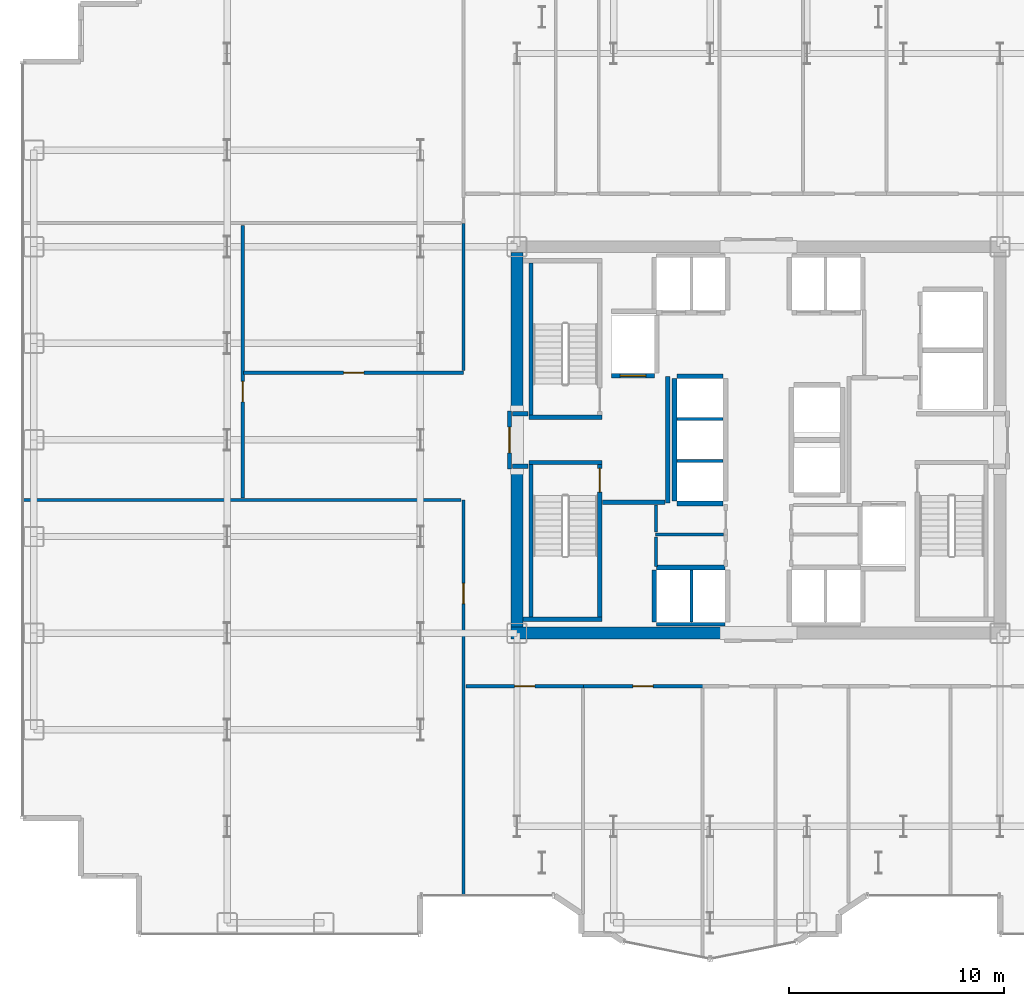
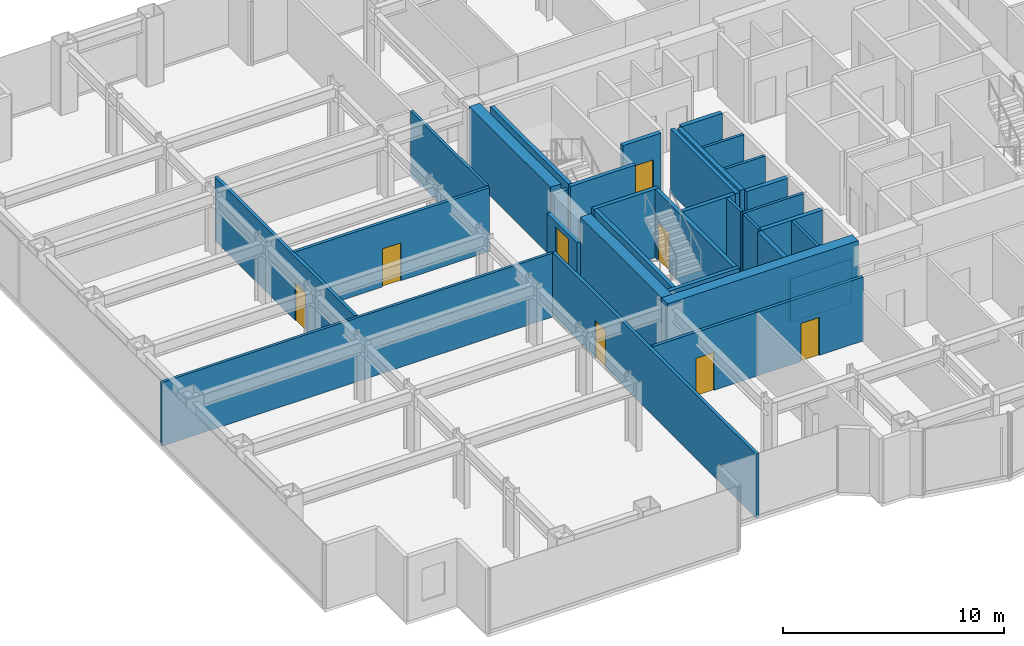
# One storey, part 20 of 26: 34 walls, 8 doors, 8 openings.
"""IFC4 building model written with IfcOpenShell, lengths in metres."""

from ifc_helpers import new_model, si_unit, direction, frame, frame_2d, origin, place, context, subcontext, project, spatial, rectangle, extrude, source, transform, mapped, material, layer, layer_set, type_object, element, fill, save


model = new_model("IFC4")

# Units and contexts
model_context = context("Model", 3, precision=1e-05, world=origin(), true_north=direction((0.0, 1.0)))
body_context = subcontext(model_context, "Body", "Model", "MODEL_VIEW")
ifc_project = project(units=[si_unit("LENGTHUNIT", "METRE"), si_unit("AREAUNIT", "SQUARE_METRE"), si_unit("VOLUMEUNIT", "CUBIC_METRE"), si_unit("PLANEANGLEUNIT", "RADIAN"), si_unit("MASSUNIT", "GRAM", prefix="KILO")], contexts=[model_context])

# Site, building, storey
site_placement = place(None, origin())
site = spatial("IfcSite", under=ifc_project, at=site_placement, CompositionType="ELEMENT")
building_placement = place(site_placement, origin())
building = spatial("IfcBuilding", under=site, at=building_placement, Name="Nefas-Gora Pilgrimage Tower", CompositionType="ELEMENT")
storey_placement = place(building_placement, frame((0.0, 0.0, 106.0)))
storey = spatial("IfcBuildingStorey", under=building, at=storey_placement, Name="L25", CompositionType="ELEMENT", Elevation=106.0)

# Walls
ifc_material_1 = material(Name="Concrete C60/75", Category="concrete")
ifc_layer_1 = layer(ifc_material_1, 0.550048828125)
ifc_layer_set_1 = layer_set([ifc_layer_1], Name="Concrete C60/75")
wall_type_1 = type_object("IfcWallType", Name="SW-CORE-550", PredefinedType="SHEAR", material=ifc_layer_set_1)
shared_shape_1 = source(origin(), body_context, "Body", "SweptSolid", [
    extrude(rectangle(XDim=9.974853515625, YDim=0.550048828125, at=frame_2d((4.9873046875, 0.0))), origin(), (0.0, 0.0, 1.0), 3.800048828125),
])
wall_1_placement = place(storey_placement, frame((-11.52490234375, -9.0, 0.0), z_axis=(0.0, 0.0, 1.0), x_axis=(1.0, 0.0, 0.0)))
element("IfcWall", 1, at=wall_1_placement, inside=storey, type_object=wall_type_1, Name="L25 Core Shear Wall S-West", PredefinedType="SHEAR", context=body_context, shape_type="MappedRepresentation", body=[
    mapped(shared_shape_1, transform((0.0, 0.0, 0.0), x_axis=(1.0, 0.0, 0.0), y_axis=(0.0, 1.0, 0.0), z_axis=(0.0, 0.0, 1.0), scale=1.0)),
])
shared_shape_2 = source(origin(), body_context, "Body", "SweptSolid", [
    extrude(rectangle(XDim=7.375, YDim=0.550048828125, at=frame_2d((3.6875, 0.0))), origin(), (0.0, 0.0, 1.0), 3.800048828125),
])
for number, where, z_axis, x_axis, name in (
    (2, (-11.25, -8.72509765625, 0.0), (0.0, 0.0, 1.0), (0.0, 1.0, 0.0), "L25 Core Shear Wall W-South"),
    (3, (-11.25, 1.35009765625, 0.0), (0.0, 0.0, 1.0), (0.0, 1.0, 0.0), "L25 Core Shear Wall W-North"),
):
    element("IfcWall", number, at=place(storey_placement, frame(where, z_axis=z_axis, x_axis=x_axis)), inside=storey, type_object=wall_type_1, Name=name, PredefinedType="SHEAR", context=body_context, shape_type="MappedRepresentation", body=[
        mapped(shared_shape_2, transform((0.0, 0.0, 0.0), x_axis=(1.0, 0.0, 0.0), y_axis=(0.0, 1.0, 0.0), z_axis=(0.0, 0.0, 1.0), scale=1.0)),
    ])
ifc_material_2 = material(Name="Concrete C45/55", Category="concrete")
ifc_layer_2 = layer(ifc_material_2, 0.199951171875)
ifc_layer_set_2 = layer_set([ifc_layer_2], Name="Concrete C45/55")
wall_type_2 = type_object("IfcWallType", Name="IW-STAIR-200", PredefinedType="SOLIDWALL", material=ifc_layer_set_2)
shared_shape_3 = source(origin(), body_context, "Body", "SweptSolid", [
    extrude(rectangle(XDim=3.39990234375, YDim=0.199951171875, at=frame_2d((1.699951171875, 0.0))), origin(), (0.0, 0.0, 1.0), 3.800048828125),
])
for number, where, z_axis, x_axis, name in (
    (4, (-7.300048828125, 1.050048828125, 0.0), (0.0, 0.0, 1.0), (-1.0, 0.0, 0.0), "L25 Stairwell Shear Wall ST-01-near"),
    (5, (-10.699951171875, -1.050048828125, 0.0), (0.0, 0.0, 1.0), (1.0, 0.0, 0.0), "L25 Stairwell Shear Wall ST-03-near"),
):
    element("IfcWall", number, at=place(storey_placement, frame(where, z_axis=z_axis, x_axis=x_axis)), inside=storey, type_object=wall_type_2, Name=name, PredefinedType="SOLIDWALL", context=body_context, shape_type="MappedRepresentation", body=[
        mapped(shared_shape_3, transform((0.0, 0.0, 0.0), x_axis=(1.0, 0.0, 0.0), y_axis=(0.0, 1.0, 0.0), z_axis=(0.0, 0.0, 1.0), scale=1.0)),
    ])
shared_shape_4 = source(origin(), body_context, "Body", "SweptSolid", [
    extrude(rectangle(XDim=7.10009765625, YDim=0.199951171875, at=frame_2d((3.550048828125, 0.0))), origin(), (0.0, 0.0, 1.0), 3.800048828125),
])
for number, where, z_axis, x_axis, name in (
    (6, (-10.60009765625, 1.14990234375, 0.0), (0.0, 0.0, 1.0), (0.0, 1.0, 0.0), "L25 Stairwell Shear Wall ST-01-right"),
    (7, (-10.60009765625, -1.14990234375, 0.0), (0.0, 0.0, 1.0), (0.0, -1.0, 0.0), "L25 Stairwell Shear Wall ST-03-left"),
):
    element("IfcWall", number, at=place(storey_placement, frame(where, z_axis=z_axis, x_axis=x_axis)), inside=storey, type_object=wall_type_2, Name=name, PredefinedType="SOLIDWALL", context=body_context, shape_type="MappedRepresentation", body=[
        mapped(shared_shape_4, transform((0.0, 0.0, 0.0), x_axis=(1.0, 0.0, 0.0), y_axis=(0.0, 1.0, 0.0), z_axis=(0.0, 0.0, 1.0), scale=1.0)),
    ])

# Wall, opening, door
wall_2_placement = place(storey_placement, frame((-7.39990234375, -1.14990234375, 0.0), z_axis=(0.0, 0.0, 1.0), x_axis=(0.0, -1.0, 0.0)))
wall_2 = element("IfcWall", 8, at=wall_2_placement, inside=storey, type_object=wall_type_2, Name="L25 Stairwell Shear Wall ST-03-right", PredefinedType="SOLIDWALL", context=body_context, shape_type="MappedRepresentation", body=[
    mapped(shared_shape_4, transform((0.0, 0.0, 0.0), x_axis=(1.0, 0.0, 0.0), y_axis=(0.0, 1.0, 0.0), z_axis=(0.0, 0.0, 1.0), scale=1.0)),
])
opening_1_placement = place(wall_2_placement, frame((0.179931640625, 0.0, 0.0)))
opening_1 = element("IfcOpeningElement", 9, at=opening_1_placement, cuts=wall_2, Name="Opening ID-ST1", PredefinedType="OPENING", context=body_context, shape_type="SweptSolid", body=[
    extrude(rectangle(XDim=1.10009765625, YDim=2.14990234375, at=frame_2d((0.550048828125, 1.074951171875))), frame((0.0, 0.10986328125, 0.0), z_axis=(0.0, -1.0, 0.0), x_axis=(1.0, 0.0, 0.0)), (0.0, 0.0, 1.0), 0.219970703125),
])
ifc_material_3 = material(Name="Painted galvanised steel fire stair door", Category="steel")
door_type_1 = type_object("IfcDoorType", Name="DR-INT-STAIR-1100", OperationType="NOTDEFINED", PredefinedType="DOOR", material=ifc_material_3)
shared_shape_5 = source(origin(), body_context, "Body", "SweptSolid", [
    extrude(rectangle(XDim=1.10009765625, YDim=2.14990234375, at=frame_2d((0.550048828125, 1.074951171875))), frame((0.0, 0.02490234375, 0.0), z_axis=(0.0, -1.0, 0.0), x_axis=(1.0, 0.0, 0.0)), (0.0, 0.0, 1.0), 0.050048828125),
])
door_1_placement = place(opening_1_placement, origin())
door_1 = element("IfcDoor", 10, at=door_1_placement, inside=storey, type_object=door_type_1, Name="L25 Protected Exit Stair Door ST-03", OperationType="SINGLE_SWING_LEFT", OverallHeight=2.14990234375, OverallWidth=1.10009765625, PredefinedType="DOOR", context=body_context, shape_type="MappedRepresentation", body=[
    mapped(shared_shape_5, transform((0.0, 0.0, 0.0), x_axis=(1.0, 0.0, 0.0), y_axis=(0.0, 1.0, 0.0), z_axis=(0.0, 0.0, 1.0), scale=1.0)),
])
fill(opening_1, door_1)

# Wall
shared_shape_6 = source(origin(), body_context, "Body", "SweptSolid", [
    extrude(rectangle(XDim=3.679931640625, YDim=0.199951171875, at=frame_2d((1.83984375, 0.0))), origin(), (0.0, 0.0, 1.0), 3.800048828125),
])
wall_3_placement = place(storey_placement, frame((-10.97998046875, -8.35009765625, 0.0), z_axis=(0.0, 0.0, 1.0), x_axis=(1.0, 0.0, 0.0)))
element("IfcWall", 11, at=wall_3_placement, inside=storey, type_object=wall_type_2, Name="L25 Stairwell Shear Wall ST-03-far", PredefinedType="SOLIDWALL", context=body_context, shape_type="MappedRepresentation", body=[
    mapped(shared_shape_6, transform((0.0, 0.0, 0.0), x_axis=(1.0, 0.0, 0.0), y_axis=(0.0, 1.0, 0.0), z_axis=(0.0, 0.0, 1.0), scale=1.0)),
])

# Wall, opening, door
ifc_material_4 = material(Name="Concrete C40/50", Category="concrete")
ifc_layer_3 = layer(ifc_material_4, 0.219970703125)
ifc_layer_set_3 = layer_set([ifc_layer_3], Name="Concrete C40/50")
wall_type_3 = type_object("IfcWallType", Name="IW-SHAFT-220", PredefinedType="SOLIDWALL", material=ifc_layer_set_3)
shared_shape_7 = source(origin(), body_context, "Body", "SweptSolid", [
    extrude(rectangle(XDim=2.0, YDim=0.219970703125, at=frame_2d((1.0, 0.0))), origin(), (0.0, 0.0, 1.0), 3.534912109375),
])
wall_4_placement = place(storey_placement, frame((-6.85009765625, 2.989990234375, 0.0), z_axis=(0.0, 0.0, 1.0), x_axis=(1.0, 0.0, 0.0)))
wall_4 = element("IfcWall", 12, at=wall_4_placement, inside=storey, type_object=wall_type_3, Name="L25 Hoistway Wall FFL-01-S", PredefinedType="SOLIDWALL", context=body_context, shape_type="MappedRepresentation", body=[
    mapped(shared_shape_7, transform((0.0, 0.0, 0.0), x_axis=(1.0, 0.0, 0.0), y_axis=(0.0, 1.0, 0.0), z_axis=(0.0, 0.0, 1.0), scale=1.0)),
])
opening_2_placement = place(wall_4_placement, frame((0.39990234375, 0.0, 0.0)))
opening_2 = element("IfcOpeningElement", 13, at=opening_2_placement, cuts=wall_4, Name="Opening LD-FF", PredefinedType="OPENING", context=body_context, shape_type="SweptSolid", body=[
    extrude(rectangle(XDim=1.199951171875, YDim=2.199951171875, at=frame_2d((0.60009765625, 1.10009765625))), frame((0.0, 0.119873046875, 0.0), z_axis=(0.0, -1.0, 0.0), x_axis=(1.0, 0.0, 0.0)), (0.0, 0.0, 1.0), 0.239990234375),
])
ifc_material_5 = material(Name="Fire-service sliding lift landing door")
door_type_2 = type_object("IfcDoorType", Name="DR-LIFT-FSAE-1200", OperationType="SLIDING_TO_LEFT", PredefinedType="DOOR", material=ifc_material_5)
shared_shape_8 = source(origin(), body_context, "Body", "SweptSolid", [
    extrude(rectangle(XDim=1.199951171875, YDim=2.199951171875, at=frame_2d((0.60009765625, 1.10009765625))), frame((0.0, 0.02490234375, 0.0), z_axis=(0.0, -1.0, 0.0), x_axis=(1.0, 0.0, 0.0)), (0.0, 0.0, 1.0), 0.050048828125),
])
door_2_placement = place(opening_2_placement, origin())
door_2 = element("IfcDoor", 14, at=door_2_placement, inside=storey, type_object=door_type_2, Name="L25 Sliding Lift Landing Door FFL-01", OperationType="SLIDING_TO_LEFT", OverallHeight=2.199951171875, OverallWidth=1.199951171875, PredefinedType="DOOR", context=body_context, shape_type="MappedRepresentation", body=[
    mapped(shared_shape_8, transform((0.0, 0.0, 0.0), x_axis=(1.0, 0.0, 0.0), y_axis=(0.0, 1.0, 0.0), z_axis=(0.0, 0.0, 1.0), scale=1.0)),
])
fill(opening_2, door_2)

# Walls
shared_shape_9 = source(origin(), body_context, "Body", "SweptSolid", [
    extrude(rectangle(XDim=3.199951171875, YDim=0.219970703125, at=frame_2d((1.60009765625, 0.0))), origin(), (0.0, 0.0, 1.0), 3.534912109375),
])
wall_5_placement = place(storey_placement, frame((-1.550048828125, -5.93994140625, 0.0), z_axis=(0.0, 0.0, 1.0), x_axis=(-1.0, 0.0, 0.0)))
element("IfcWall", 15, at=wall_5_placement, inside=storey, type_object=wall_type_3, Name="L25 Hoistway Wall PL2-W-N", PredefinedType="SOLIDWALL", context=body_context, shape_type="MappedRepresentation", body=[
    mapped(shared_shape_9, transform((0.0, 0.0, 0.0), x_axis=(1.0, 0.0, 0.0), y_axis=(0.0, 1.0, 0.0), z_axis=(0.0, 0.0, 1.0), scale=1.0)),
])
ifc_material_6 = material(Name="Gypsum acoustic stud partition")
ifc_layer_4 = layer(ifc_material_6, 0.159912109375)
ifc_layer_set_4 = layer_set([ifc_layer_4], Name="Gypsum acoustic stud partition")
wall_type_4 = type_object("IfcWallType", Name="IW-CORR-160", PredefinedType="PARTITIONING", material=ifc_layer_set_4)
shared_shape_10 = source(origin(), body_context, "Body", "SweptSolid", [
    extrude(rectangle(XDim=3.199951171875, YDim=0.159912109375, at=frame_2d((1.60009765625, 0.0))), origin(), (0.0, 0.0, 1.0), 2.425048828125),
])
wall_6_placement = place(storey_placement, frame((-4.75, -8.580078125, 0.0), z_axis=(0.0, 0.0, 1.0), x_axis=(1.0, 0.0, 0.0)))
element("IfcWall", 16, at=wall_6_placement, inside=storey, type_object=wall_type_4, Name="L25 Hoistway Wall PL2-W-S", PredefinedType="PARTITIONING", context=body_context, shape_type="MappedRepresentation", body=[
    mapped(shared_shape_10, transform((0.0, 0.0, 0.0), x_axis=(1.0, 0.0, 0.0), y_axis=(0.0, 1.0, 0.0), z_axis=(0.0, 0.0, 1.0), scale=1.0)),
])
shared_shape_11 = source(origin(), body_context, "Body", "SweptSolid", [
    extrude(rectangle(XDim=2.429931640625, YDim=0.219970703125, at=frame_2d((1.21484375, 0.0))), origin(), (0.0, 0.0, 1.0), 3.534912109375),
])
wall_7_placement = place(storey_placement, frame((-4.860107421875, -6.06005859375, 0.0), z_axis=(0.0, 0.0, 1.0), x_axis=(0.0, -1.0, 0.0)))
element("IfcWall", 17, at=wall_7_placement, inside=storey, type_object=wall_type_3, Name="L25 Hoistway Wall PL2-W-W", PredefinedType="SOLIDWALL", context=body_context, shape_type="MappedRepresentation", body=[
    mapped(shared_shape_11, transform((0.0, 0.0, 0.0), x_axis=(1.0, 0.0, 0.0), y_axis=(0.0, 1.0, 0.0), z_axis=(0.0, 0.0, 1.0), scale=1.0)),
])
ifc_material_7 = material(Name="Gypsum twin-stud partition")
ifc_layer_5 = layer(ifc_material_7, 0.139892578125)
ifc_layer_set_5 = layer_set([ifc_layer_5], Name="Gypsum twin-stud partition")
wall_type_5 = type_object("IfcWallType", Name="IW-UNIT-140", PredefinedType="PARTITIONING", material=ifc_layer_set_5)
shared_shape_12 = source(origin(), body_context, "Body", "SweptSolid", [
    extrude(rectangle(XDim=2.429931640625, YDim=0.139892578125, at=frame_2d((1.21484375, 0.0))), origin(), (0.0, 0.0, 1.0), 3.534912109375),
])
wall_8_placement = place(storey_placement, frame((-3.125, -8.489990234375, 0.0), z_axis=(0.0, 0.0, 1.0), x_axis=(0.0, 1.0, 0.0)))
element("IfcWall", 18, at=wall_8_placement, inside=storey, type_object=wall_type_5, Name="L25 Hoistway Wall PL2-W-DIV", PredefinedType="PARTITIONING", context=body_context, shape_type="MappedRepresentation", body=[
    mapped(shared_shape_12, transform((0.0, 0.0, 0.0), x_axis=(1.0, 0.0, 0.0), y_axis=(0.0, 1.0, 0.0), z_axis=(0.0, 0.0, 1.0), scale=1.0)),
])
shared_shape_13 = source(origin(), body_context, "Body", "SweptSolid", [
    extrude(rectangle(XDim=5.7001953125, YDim=0.219970703125, at=frame_2d((2.85009765625, 0.0))), origin(), (0.0, 0.0, 1.0), 3.534912109375),
])
wall_9_placement = place(storey_placement, frame((-3.909912109375, 2.85009765625, 0.0), z_axis=(0.0, 0.0, 1.0), x_axis=(0.0, -1.0, 0.0)))
element("IfcWall", 19, at=wall_9_placement, inside=storey, type_object=wall_type_3, Name="L25 Hoistway Wall PL3-01-03-W", PredefinedType="SOLIDWALL", context=body_context, shape_type="MappedRepresentation", body=[
    mapped(shared_shape_13, transform((0.0, 0.0, 0.0), x_axis=(1.0, 0.0, 0.0), y_axis=(0.0, 1.0, 0.0), z_axis=(0.0, 0.0, 1.0), scale=1.0)),
])
shared_shape_14 = source(origin(), body_context, "Body", "SweptSolid", [
    extrude(rectangle(XDim=2.130126953125, YDim=0.219970703125, at=frame_2d((1.06494140625, 0.0))), origin(), (0.0, 0.0, 1.0), 3.534912109375),
])
for number, where, z_axis, x_axis, name in (
    (20, (-3.7900390625, -2.9599609375, 0.0), (0.0, 0.0, 1.0), (1.0, 0.0, 0.0), "L25 Hoistway Wall PL3-01-S"),
    (21, (-1.659912109375, 2.9599609375, 0.0), (0.0, 0.0, 1.0), (-1.0, 0.0, 0.0), "L25 Hoistway Wall PL3-03-N"),
):
    element("IfcWall", number, at=place(storey_placement, frame(where, z_axis=z_axis, x_axis=x_axis)), inside=storey, type_object=wall_type_3, Name=name, PredefinedType="SOLIDWALL", context=body_context, shape_type="MappedRepresentation", body=[
        mapped(shared_shape_14, transform((0.0, 0.0, 0.0), x_axis=(1.0, 0.0, 0.0), y_axis=(0.0, 1.0, 0.0), z_axis=(0.0, 0.0, 1.0), scale=1.0)),
    ])
shared_shape_15 = source(origin(), body_context, "Body", "SweptSolid", [
    extrude(rectangle(XDim=2.130126953125, YDim=0.139892578125, at=frame_2d((1.06494140625, 0.0))), origin(), (0.0, 0.0, 1.0), 3.534912109375),
])
for number, where, z_axis, x_axis, name in (
    (22, (-3.7900390625, -0.97509765625, 0.0), (0.0, 0.0, 1.0), (1.0, 0.0, 0.0), "L25 Hoistway Wall PL3-01-02-DIV"),
    (23, (-3.7900390625, 0.97509765625, 0.0), (0.0, 0.0, 1.0), (1.0, 0.0, 0.0), "L25 Hoistway Wall PL3-02-03-DIV"),
):
    element("IfcWall", number, at=place(storey_placement, frame(where, z_axis=z_axis, x_axis=x_axis)), inside=storey, type_object=wall_type_5, Name=name, PredefinedType="PARTITIONING", context=body_context, shape_type="MappedRepresentation", body=[
        mapped(shared_shape_15, transform((0.0, 0.0, 0.0), x_axis=(1.0, 0.0, 0.0), y_axis=(0.0, 1.0, 0.0), z_axis=(0.0, 0.0, 1.0), scale=1.0)),
    ])

# Wall, opening, door
ifc_material_8 = material(Name="Gypsum fire-rated shaftwall")
ifc_layer_6 = layer(ifc_material_8, 0.199951171875)
ifc_layer_set_6 = layer_set([ifc_layer_6], Name="Gypsum fire-rated shaftwall")
wall_type_6 = type_object("IfcWallType", Name="IW-FFLOB-200", PredefinedType="PARTITIONING", material=ifc_layer_set_6)
shared_shape_16 = source(origin(), body_context, "Body", "SweptSolid", [
    extrude(rectangle(XDim=2.7001953125, YDim=0.199951171875, at=frame_2d((1.35009765625, 0.0))), origin(), (0.0, 0.0, 1.0), 2.425048828125),
])
wall_10_placement = place(storey_placement, frame((-11.60009765625, -1.35009765625, 0.0), z_axis=(0.0, 0.0, 1.0), x_axis=(0.0, 1.0, 0.0)))
wall_10 = element("IfcWall", 24, at=wall_10_placement, inside=storey, type_object=wall_type_6, Name="L25 FF Lobby West Portal Wall 3", PredefinedType="PARTITIONING", context=body_context, shape_type="MappedRepresentation", body=[
    mapped(shared_shape_16, transform((0.0, 0.0, 0.0), x_axis=(1.0, 0.0, 0.0), y_axis=(0.0, 1.0, 0.0), z_axis=(0.0, 0.0, 1.0), scale=1.0)),
])
opening_3_placement = place(wall_10_placement, frame((0.75, 0.0, 0.0)))
opening_3 = element("IfcOpeningElement", 25, at=opening_3_placement, cuts=wall_10, Name="Opening ID-FF1", PredefinedType="OPENING", context=body_context, shape_type="SweptSolid", body=[
    extrude(rectangle(XDim=1.199951171875, YDim=2.14990234375, at=frame_2d((0.60009765625, 1.074951171875))), frame((0.0, 0.10986328125, 0.0), z_axis=(0.0, -1.0, 0.0), x_axis=(1.0, 0.0, 0.0)), (0.0, 0.0, 1.0), 0.219970703125),
])
ifc_material_9 = material(Name="Smoke-sealed steel firefighting lobby door", Category="steel")
door_type_3 = type_object("IfcDoorType", Name="DR-INT-FFLOB-1200", OperationType="NOTDEFINED", PredefinedType="DOOR", material=ifc_material_9)
shared_shape_17 = source(origin(), body_context, "Body", "SweptSolid", [
    extrude(rectangle(XDim=1.199951171875, YDim=2.14990234375, at=frame_2d((0.60009765625, 1.074951171875))), frame((0.0, 0.02490234375, 0.0), z_axis=(0.0, -1.0, 0.0), x_axis=(1.0, 0.0, 0.0)), (0.0, 0.0, 1.0), 0.050048828125),
])
door_3_placement = place(opening_3_placement, origin())
door_3 = element("IfcDoor", 26, at=door_3_placement, inside=storey, type_object=door_type_3, Name="L25 FF Lobby West Portal Door 1", OperationType="SINGLE_SWING_LEFT", OverallHeight=2.14990234375, OverallWidth=1.199951171875, PredefinedType="DOOR", context=body_context, shape_type="MappedRepresentation", body=[
    mapped(shared_shape_17, transform((0.0, 0.0, 0.0), x_axis=(1.0, 0.0, 0.0), y_axis=(0.0, 1.0, 0.0), z_axis=(0.0, 0.0, 1.0), scale=1.0)),
])
fill(opening_3, door_3)

# Walls
shared_shape_18 = source(origin(), body_context, "Body", "SweptSolid", [
    extrude(rectangle(XDim=5.89990234375, YDim=0.199951171875, at=frame_2d((2.949951171875, 0.0))), origin(), (0.0, 0.0, 1.0), 3.534912109375),
])
wall_11_placement = place(storey_placement, frame((-4.219970703125, -2.949951171875, 0.0), z_axis=(0.0, 0.0, 1.0), x_axis=(0.0, 1.0, 0.0)))
element("IfcWall", 27, at=wall_11_placement, inside=storey, type_object=wall_type_6, Name="L25 FF Lobby West Inner Wall Wall 4", PredefinedType="PARTITIONING", context=body_context, shape_type="MappedRepresentation", body=[
    mapped(shared_shape_18, transform((0.0, 0.0, 0.0), x_axis=(1.0, 0.0, 0.0), y_axis=(0.0, 1.0, 0.0), z_axis=(0.0, 0.0, 1.0), scale=1.0)),
])
shared_shape_19 = source(origin(), body_context, "Body", "SweptSolid", [
    extrude(rectangle(XDim=2.89990234375, YDim=0.199951171875, at=frame_2d((1.449951171875, 0.0))), origin(), (0.0, 0.0, 1.0), 3.534912109375),
])
wall_12_placement = place(storey_placement, frame((-7.260009765625, -2.89990234375, 0.0), z_axis=(0.0, 0.0, 1.0), x_axis=(1.0, 0.0, 0.0)))
element("IfcWall", 28, at=wall_12_placement, inside=storey, type_object=wall_type_6, Name="L25 FF Lobby West South Wall Wall 5", PredefinedType="PARTITIONING", context=body_context, shape_type="MappedRepresentation", body=[
    mapped(shared_shape_19, transform((0.0, 0.0, 0.0), x_axis=(1.0, 0.0, 0.0), y_axis=(0.0, 1.0, 0.0), z_axis=(0.0, 0.0, 1.0), scale=1.0)),
])
shared_shape_20 = source(origin(), body_context, "Body", "SweptSolid", [
    extrude(rectangle(XDim=0.719970703125, YDim=0.199951171875, at=frame_2d((0.35986328125, 0.0))), origin(), (0.0, 0.0, 1.0), 3.534912109375),
])
for number, where, z_axis, x_axis, name in (
    (29, (-11.4599609375, 1.219970703125, 0.0), (0.0, 0.0, 1.0), (1.0, 0.0, 0.0), "L25 FF Lobby West Throat N Wall 6"),
    (30, (-11.4599609375, -1.219970703125, 0.0), (0.0, 0.0, 1.0), (1.0, 0.0, 0.0), "L25 FF Lobby West Throat S Wall 7"),
):
    element("IfcWall", number, at=place(storey_placement, frame(where, z_axis=z_axis, x_axis=x_axis)), inside=storey, type_object=wall_type_6, Name=name, PredefinedType="PARTITIONING", context=body_context, shape_type="MappedRepresentation", body=[
        mapped(shared_shape_20, transform((0.0, 0.0, 0.0), x_axis=(1.0, 0.0, 0.0), y_axis=(0.0, 1.0, 0.0), z_axis=(0.0, 0.0, 1.0), scale=1.0)),
    ])

# Wall, opening, door
shared_shape_21 = source(origin(), body_context, "Body", "SweptSolid", [
    extrude(rectangle(XDim=10.25, YDim=0.159912109375, at=frame_2d((5.125, 0.0))), origin(), (0.0, 0.0, 1.0), 3.534912109375),
])
wall_13_placement = place(storey_placement, frame((-23.97998046875, 3.1201171875, 0.0), z_axis=(0.0, 0.0, 1.0), x_axis=(1.0, 0.0, 0.0)))
wall_13 = element("IfcWall", 31, at=wall_13_placement, inside=storey, type_object=wall_type_4, Name="L25 Pilgrim Floor Concierge Foyer Partition Wall 32", PredefinedType="PARTITIONING", context=body_context, shape_type="MappedRepresentation", body=[
    mapped(shared_shape_21, transform((0.0, 0.0, 0.0), x_axis=(1.0, 0.0, 0.0), y_axis=(0.0, 1.0, 0.0), z_axis=(0.0, 0.0, 1.0), scale=1.0)),
])
opening_4_placement = place(wall_13_placement, frame((4.64990234375, 0.0, 0.0)))
opening_4 = element("IfcOpeningElement", 32, at=opening_4_placement, cuts=wall_13, Name="Opening ID-GR1", PredefinedType="OPENING", context=body_context, shape_type="SweptSolid", body=[
    extrude(rectangle(XDim=0.949951171875, YDim=2.10009765625, at=frame_2d((0.47509765625, 1.050048828125))), frame((0.0, 0.08984375, 0.0), z_axis=(0.0, -1.0, 0.0), x_axis=(1.0, 0.0, 0.0)), (0.0, 0.0, 1.0), 0.179931640625),
])
ifc_material_10 = material(Name="Solid core oak fire-rated guest entrance door")
door_type_4 = type_object("IfcDoorType", Name="DR-INT-GUEST-950", OperationType="NOTDEFINED", PredefinedType="DOOR", material=ifc_material_10)
shared_shape_22 = source(origin(), body_context, "Body", "SweptSolid", [
    extrude(rectangle(XDim=0.949951171875, YDim=2.10009765625, at=frame_2d((0.47509765625, 1.050048828125))), frame((0.0, 0.02490234375, 0.0), z_axis=(0.0, -1.0, 0.0), x_axis=(1.0, 0.0, 0.0)), (0.0, 0.0, 1.0), 0.050048828125),
])
door_4_placement = place(opening_4_placement, origin())
door_4 = element("IfcDoor", 33, at=door_4_placement, inside=storey, type_object=door_type_4, Name="L25 Pilgrim Floor Concierge Foyer Door 13", OperationType="SINGLE_SWING_LEFT", OverallHeight=2.10009765625, OverallWidth=0.949951171875, PredefinedType="DOOR", context=body_context, shape_type="MappedRepresentation", body=[
    mapped(shared_shape_22, transform((0.0, 0.0, 0.0), x_axis=(1.0, 0.0, 0.0), y_axis=(0.0, 1.0, 0.0), z_axis=(0.0, 0.0, 1.0), scale=1.0)),
])
fill(opening_4, door_4)

# Walls
shared_shape_23 = source(origin(), body_context, "Body", "SweptSolid", [
    extrude(rectangle(XDim=20.429931640625, YDim=0.139892578125, at=frame_2d((10.21484375, 0.0))), origin(), (0.0, 0.0, 1.0), 3.534912109375),
])
wall_14_placement = place(storey_placement, frame((-34.2900390625, -2.804931640625, 0.0), z_axis=(0.0, 0.0, 1.0), x_axis=(1.0, 0.0, 0.0)))
element("IfcWall", 34, at=wall_14_placement, inside=storey, type_object=wall_type_5, Name="L25 Pilgrim Floor Concierge Foyer Partition Wall 29", PredefinedType="PARTITIONING", context=body_context, shape_type="MappedRepresentation", body=[
    mapped(shared_shape_23, transform((0.0, 0.0, 0.0), x_axis=(1.0, 0.0, 0.0), y_axis=(0.0, 1.0, 0.0), z_axis=(0.0, 0.0, 1.0), scale=1.0)),
])
shared_shape_24 = source(origin(), body_context, "Body", "SweptSolid", [
    extrude(rectangle(XDim=3.150146484375, YDim=0.139892578125, at=frame_2d((1.5751953125, 0.0))), origin(), (0.0, 0.0, 1.0), 3.534912109375),
])
wall_15_placement = place(storey_placement, frame((-4.7900390625, -4.409912109375, 0.0), z_axis=(0.0, 0.0, 1.0), x_axis=(1.0, 0.0, 0.0)))
element("IfcWall", 35, at=wall_15_placement, inside=storey, type_object=wall_type_5, Name="L25 Housekeeping and Linen Store Partition Wall 17", PredefinedType="PARTITIONING", context=body_context, shape_type="MappedRepresentation", body=[
    mapped(shared_shape_24, transform((0.0, 0.0, 0.0), x_axis=(1.0, 0.0, 0.0), y_axis=(0.0, 1.0, 0.0), z_axis=(0.0, 0.0, 1.0), scale=1.0)),
])
shared_shape_25 = source(origin(), body_context, "Body", "SweptSolid", [
    extrude(rectangle(XDim=1.260009765625, YDim=0.139892578125, at=frame_2d((0.6298828125, 0.0))), origin(), (0.0, 0.0, 1.0), 3.534912109375),
])
wall_16_placement = place(storey_placement, frame((-4.780029296875, -4.300048828125, 0.0), z_axis=(0.0, 0.0, 1.0), x_axis=(0.0, 1.0, 0.0)))
element("IfcWall", 36, at=wall_16_placement, inside=storey, type_object=wall_type_5, Name="L25 Housekeeping and Linen Store Partition Wall 18", PredefinedType="PARTITIONING", context=body_context, shape_type="MappedRepresentation", body=[
    mapped(shared_shape_25, transform((0.0, 0.0, 0.0), x_axis=(1.0, 0.0, 0.0), y_axis=(0.0, 1.0, 0.0), z_axis=(0.0, 0.0, 1.0), scale=1.0)),
])
shared_shape_26 = source(origin(), body_context, "Body", "SweptSolid", [
    extrude(rectangle(XDim=1.369873046875, YDim=0.139892578125, at=frame_2d((0.68505859375, 0.0))), origin(), (0.0, 0.0, 1.0), 3.534912109375),
])
wall_17_placement = place(storey_placement, frame((-4.780029296875, -5.889892578125, 0.0), z_axis=(0.0, 0.0, 1.0), x_axis=(0.0, 1.0, 0.0)))
element("IfcWall", 37, at=wall_17_placement, inside=storey, type_object=wall_type_5, Name="L25 Guest Self-Service Laundry Room Partition Wall 20", PredefinedType="PARTITIONING", context=body_context, shape_type="MappedRepresentation", body=[
    mapped(shared_shape_26, transform((0.0, 0.0, 0.0), x_axis=(1.0, 0.0, 0.0), y_axis=(0.0, 1.0, 0.0), z_axis=(0.0, 0.0, 1.0), scale=1.0)),
])

# Wall, opening, door
shared_shape_27 = source(origin(), body_context, "Body", "SweptSolid", [
    extrude(rectangle(XDim=18.445068359375, YDim=0.159912109375, at=frame_2d((9.22265625, 0.0))), origin(), (0.0, 0.0, 1.0), 3.534912109375),
])
wall_18_placement = place(storey_placement, frame((-13.739990234375, -21.239990234375, 0.0), z_axis=(0.0, 0.0, 1.0), x_axis=(0.0, 1.0, 0.0)))
wall_18 = element("IfcWall", 38, at=wall_18_placement, inside=storey, type_object=wall_type_4, Name="L25 Pilgrim Floor Concierge Foyer Partition Wall 28", PredefinedType="PARTITIONING", context=body_context, shape_type="MappedRepresentation", body=[
    mapped(shared_shape_27, transform((0.0, 0.0, 0.0), x_axis=(1.0, 0.0, 0.0), y_axis=(0.0, 1.0, 0.0), z_axis=(0.0, 0.0, 1.0), scale=1.0)),
])
opening_5_placement = place(wall_18_placement, frame((13.612548828125, 0.0, 0.0)))
opening_5 = element("IfcOpeningElement", 39, at=opening_5_placement, cuts=wall_18, Name="Opening ID-GR1", PredefinedType="OPENING", context=body_context, shape_type="SweptSolid", body=[
    extrude(rectangle(XDim=0.949951171875, YDim=2.10009765625, at=frame_2d((0.47509765625, 1.050048828125))), frame((0.0, 0.08984375, 0.0), z_axis=(0.0, -1.0, 0.0), x_axis=(1.0, 0.0, 0.0)), (0.0, 0.0, 1.0), 0.179931640625),
])
door_5_placement = place(opening_5_placement, origin())
door_5 = element("IfcDoor", 40, at=door_5_placement, inside=storey, type_object=door_type_4, Name="L25 Pilgrim Floor Concierge Foyer Door 11", OperationType="SINGLE_SWING_LEFT", OverallHeight=2.10009765625, OverallWidth=0.949951171875, PredefinedType="DOOR", context=body_context, shape_type="MappedRepresentation", body=[
    mapped(shared_shape_22, transform((0.0, 0.0, 0.0), x_axis=(1.0, 0.0, 0.0), y_axis=(0.0, 1.0, 0.0), z_axis=(0.0, 0.0, 1.0), scale=1.0)),
])
fill(opening_5, door_5)

# Wall
shared_shape_28 = source(origin(), body_context, "Body", "SweptSolid", [
    extrude(rectangle(XDim=6.847412109375, YDim=0.139892578125, at=frame_2d((3.423828125, 0.0))), origin(), (0.0, 0.0, 1.0), 3.534912109375),
])
wall_19_placement = place(storey_placement, frame((-13.739990234375, 3.239990234375, 0.0), z_axis=(0.0, 0.0, 1.0), x_axis=(0.0, 1.0, 0.0)))
element("IfcWall", 41, at=wall_19_placement, inside=storey, type_object=wall_type_5, Name="L25 Pilgrim Floor Concierge Foyer Partition Wall 33", PredefinedType="PARTITIONING", context=body_context, shape_type="MappedRepresentation", body=[
    mapped(shared_shape_28, transform((0.0, 0.0, 0.0), x_axis=(1.0, 0.0, 0.0), y_axis=(0.0, 1.0, 0.0), z_axis=(0.0, 0.0, 1.0), scale=1.0)),
])

# Wall, opening, door
shared_shape_29 = source(origin(), body_context, "Body", "SweptSolid", [
    extrude(rectangle(XDim=12.6826171875, YDim=0.159912109375, at=frame_2d((6.34130859375, 0.0))), origin(), (0.0, 0.0, 1.0), 3.534912109375),
])
wall_20_placement = place(storey_placement, frame((-24.02001953125, -2.695068359375, 0.0), z_axis=(0.0, 0.0, 1.0), x_axis=(0.0, 1.0, 0.0)))
wall_20 = element("IfcWall", 42, at=wall_20_placement, inside=storey, type_object=wall_type_4, Name="L25 Pilgrim Tea and Beverage Pantry Partition Wall 34", PredefinedType="PARTITIONING", context=body_context, shape_type="MappedRepresentation", body=[
    mapped(shared_shape_29, transform((0.0, 0.0, 0.0), x_axis=(1.0, 0.0, 0.0), y_axis=(0.0, 1.0, 0.0), z_axis=(0.0, 0.0, 1.0), scale=1.0)),
])
opening_6_placement = place(wall_20_placement, frame((4.469970703125, 0.0, 0.0)))
opening_6 = element("IfcOpeningElement", 43, at=opening_6_placement, cuts=wall_20, Name="Opening ID-GR1", PredefinedType="OPENING", context=body_context, shape_type="SweptSolid", body=[
    extrude(rectangle(XDim=0.949951171875, YDim=2.10009765625, at=frame_2d((0.47509765625, 1.050048828125))), frame((0.0, 0.08984375, 0.0), z_axis=(0.0, -1.0, 0.0), x_axis=(1.0, 0.0, 0.0)), (0.0, 0.0, 1.0), 0.179931640625),
])
door_6_placement = place(opening_6_placement, origin())
door_6 = element("IfcDoor", 44, at=door_6_placement, inside=storey, type_object=door_type_4, Name="L25 Pilgrim Tea and Beverage Pantry Door 14", OperationType="SINGLE_SWING_RIGHT", OverallHeight=2.10009765625, OverallWidth=0.949951171875, PredefinedType="DOOR", context=body_context, shape_type="MappedRepresentation", body=[
    mapped(shared_shape_22, transform((0.0, 0.0, 0.0), x_axis=(1.0, 0.0, 0.0), y_axis=(0.0, 1.0, 0.0), z_axis=(0.0, 0.0, 1.0), scale=1.0)),
])
fill(opening_6, door_6)

shared_shape_30 = source(origin(), body_context, "Body", "SweptSolid", [
    extrude(rectangle(XDim=5.460205078125, YDim=0.159912109375, at=frame_2d((2.72998046875, 0.0))), origin(), (0.0, 0.0, 1.0), 3.534912109375),
])
wall_21_placement = place(storey_placement, frame((-13.6201171875, -11.469970703125, 0.0), z_axis=(0.0, 0.0, 1.0), x_axis=(1.0, 0.0, 0.0)))
wall_21 = element("IfcWall", 45, at=wall_21_placement, inside=storey, type_object=wall_type_4, Name="L25 Pilgrim Contemplative Lounge Partition Wall 48", PredefinedType="PARTITIONING", context=body_context, shape_type="MappedRepresentation", body=[
    mapped(shared_shape_30, transform((0.0, 0.0, 0.0), x_axis=(1.0, 0.0, 0.0), y_axis=(0.0, 1.0, 0.0), z_axis=(0.0, 0.0, 1.0), scale=1.0)),
])
opening_7_placement = place(wall_21_placement, frame((2.2548828125, 0.0, 0.0)))
opening_7 = element("IfcOpeningElement", 46, at=opening_7_placement, cuts=wall_21, Name="Opening ID-GR1", PredefinedType="OPENING", context=body_context, shape_type="SweptSolid", body=[
    extrude(rectangle(XDim=0.949951171875, YDim=2.10009765625, at=frame_2d((0.47509765625, 1.050048828125))), frame((0.0, 0.08984375, 0.0), z_axis=(0.0, -1.0, 0.0), x_axis=(1.0, 0.0, 0.0)), (0.0, 0.0, 1.0), 0.179931640625),
])
door_7_placement = place(opening_7_placement, origin())
door_7 = element("IfcDoor", 47, at=door_7_placement, inside=storey, type_object=door_type_4, Name="L25 Pilgrim Contemplative Lounge Door 23", OperationType="SINGLE_SWING_LEFT", OverallHeight=2.10009765625, OverallWidth=0.949951171875, PredefinedType="DOOR", context=body_context, shape_type="MappedRepresentation", body=[
    mapped(shared_shape_22, transform((0.0, 0.0, 0.0), x_axis=(1.0, 0.0, 0.0), y_axis=(0.0, 1.0, 0.0), z_axis=(0.0, 0.0, 1.0), scale=1.0)),
])
fill(opening_7, door_7)

shared_shape_31 = source(origin(), body_context, "Body", "SweptSolid", [
    extrude(rectangle(XDim=5.56494140625, YDim=0.159912109375, at=frame_2d((2.782470703125, 0.0))), origin(), (0.0, 0.0, 1.0), 3.534912109375),
])
wall_22_placement = place(storey_placement, frame((-8.159912109375, -11.469970703125, 0.0), z_axis=(0.0, 0.0, 1.0), x_axis=(1.0, 0.0, 0.0)))
wall_22 = element("IfcWall", 48, at=wall_22_placement, inside=storey, type_object=wall_type_4, Name="L25 Pilgrim Contemplative Lounge Partition Wall 50", PredefinedType="PARTITIONING", context=body_context, shape_type="MappedRepresentation", body=[
    mapped(shared_shape_31, transform((0.0, 0.0, 0.0), x_axis=(1.0, 0.0, 0.0), y_axis=(0.0, 1.0, 0.0), z_axis=(0.0, 0.0, 1.0), scale=1.0)),
])
opening_8_placement = place(wall_22_placement, frame((2.3076171875, 0.0, 0.0)))
opening_8 = element("IfcOpeningElement", 49, at=opening_8_placement, cuts=wall_22, Name="Opening ID-GR1", PredefinedType="OPENING", context=body_context, shape_type="SweptSolid", body=[
    extrude(rectangle(XDim=0.949951171875, YDim=2.10009765625, at=frame_2d((0.47509765625, 1.050048828125))), frame((0.0, 0.08984375, 0.0), z_axis=(0.0, -1.0, 0.0), x_axis=(1.0, 0.0, 0.0)), (0.0, 0.0, 1.0), 0.179931640625),
])
door_8_placement = place(opening_8_placement, origin())
door_8 = element("IfcDoor", 50, at=door_8_placement, inside=storey, type_object=door_type_4, Name="L25 Pilgrim Contemplative Lounge Door 24", OperationType="SINGLE_SWING_RIGHT", OverallHeight=2.10009765625, OverallWidth=0.949951171875, PredefinedType="DOOR", context=body_context, shape_type="MappedRepresentation", body=[
    mapped(shared_shape_22, transform((0.0, 0.0, 0.0), x_axis=(1.0, 0.0, 0.0), y_axis=(0.0, 1.0, 0.0), z_axis=(0.0, 0.0, 1.0), scale=1.0)),
])
fill(opening_8, door_8)

save(model, "model.ifc")
